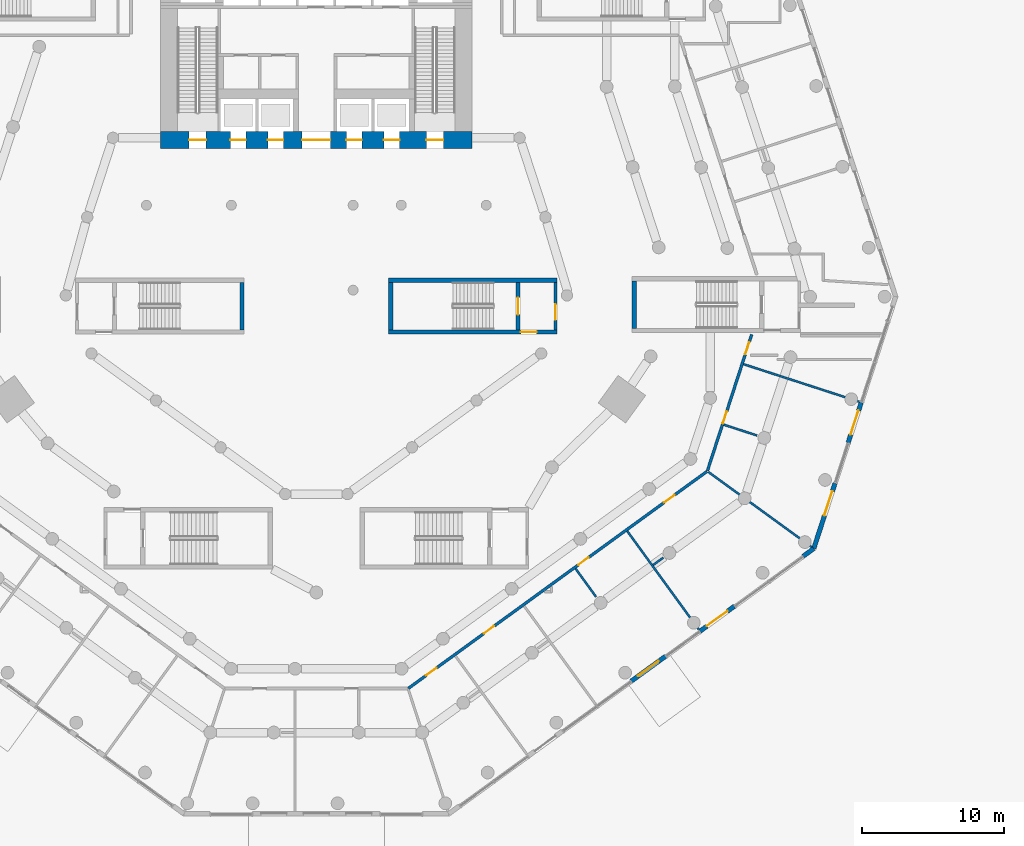
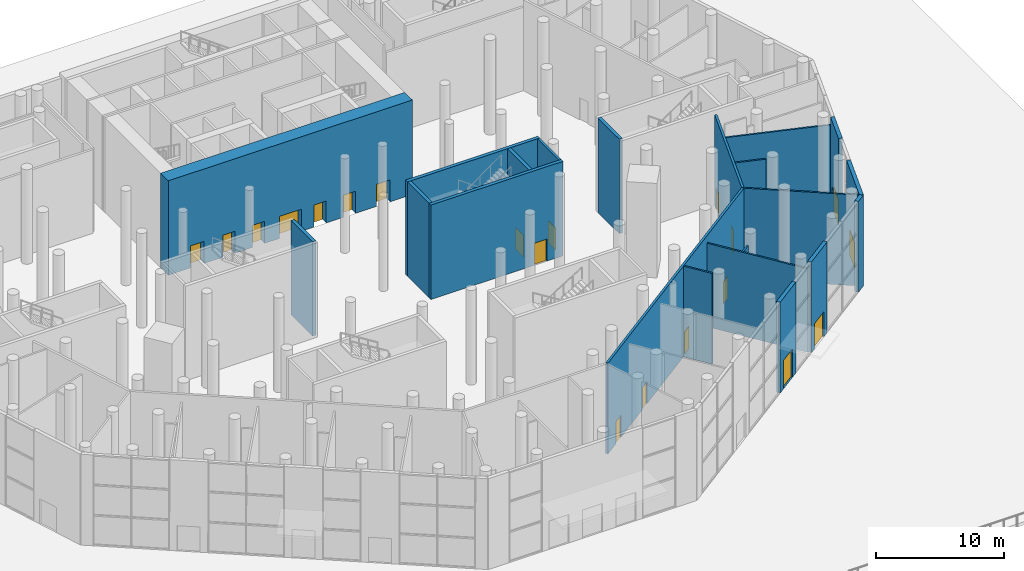
# One storey, part 12 of 25: 21 walls, 20 doors, 20 openings.
"""IFC4 building model written with IfcOpenShell, lengths in metres."""

from ifc_helpers import new_model, si_unit, direction, frame, frame_2d, origin, place, context, subcontext, project, spatial, rectangle, extrude, material, layer, layer_set, type_object, element, fill, save


model = new_model("IFC4")

# Units and contexts
model_context = context("Model", 3, precision=1e-05, world=origin(), true_north=direction((0.0, 1.0)))
body_context = subcontext(model_context, "Body", "Model", "MODEL_VIEW")
ifc_project = project(units=[si_unit("LENGTHUNIT", "METRE"), si_unit("AREAUNIT", "SQUARE_METRE"), si_unit("VOLUMEUNIT", "CUBIC_METRE"), si_unit("PLANEANGLEUNIT", "RADIAN"), si_unit("MASSUNIT", "GRAM", prefix="KILO")], contexts=[model_context])

# Site, building, storey
site_placement = place(None, origin())
site = spatial("IfcSite", under=ifc_project, at=site_placement, CompositionType="ELEMENT")
building_placement = place(site_placement, origin())
building = spatial("IfcBuilding", under=site, at=building_placement, Name="White Candle Pilgrim Tower", CompositionType="ELEMENT")
storey_placement = place(building_placement, origin())
storey = spatial("IfcBuildingStorey", under=building, at=storey_placement, Name="L00", CompositionType="ELEMENT", Elevation=0.0)

# Wall, opening, door
ifc_material_1 = material(Name="Concrete C70/85", Category="concrete")
ifc_layer_1 = layer(ifc_material_1, 0.199951171875)
ifc_layer_set_1 = layer_set([ifc_layer_1], Name="Core wall 200 mm Concrete C70/85")
wall_type_1 = type_object("IfcWallType", Name="Core wall 200 mm Concrete C70/85", PredefinedType="SHEAR", material=ifc_layer_set_1)
wall_1_placement = place(storey_placement, frame((86.89990234375, 58.199951171875, 0.0), z_axis=(0.0, 0.0, 1.0), x_axis=(0.0, 1.0, 0.0)))
wall_1 = element("IfcWall", 1, at=wall_1_placement, inside=storey, type_object=wall_type_1, Name="WL-L00-C24", PredefinedType="SHEAR", context=body_context, shape_type="SweptSolid", body=[
    extrude(rectangle(XDim=3.35009765625, YDim=0.199951171875, at=frame_2d((1.675048828125, 0.0))), origin(), (0.0, 0.0, 1.0), 9.0),
])
opening_1_placement = place(wall_1_placement, frame((0.699951171875, 0.0, 0.0)))
opening_1 = element("IfcOpeningElement", 2, at=opening_1_placement, cuts=wall_1, Name="Opening L00-012", PredefinedType="OPENING", context=body_context, shape_type="SweptSolid", body=[
    extrude(rectangle(XDim=1.10009765625, YDim=2.10009765625, at=frame_2d((0.550048828125, 1.050048828125))), frame((0.0, 0.10986328125, 0.0), z_axis=(0.0, -1.0, 0.0), x_axis=(1.0, 0.0, 0.0)), (0.0, 0.0, 1.0), 0.219970703125),
])
ifc_material_2 = material(Name="Steel door leaf", Category="steel")
door_type_1 = type_object("IfcDoorType", Name="Fire door 1100 x 2100 EI 60", OperationType="NOTDEFINED", PredefinedType="DOOR", material=ifc_material_2)
door_1_placement = place(opening_1_placement, frame((1.10009765625, 0.0, 0.0), z_axis=(0.0, 0.0, 1.0), x_axis=(-1.0, 0.0, 0.0)))
door_1 = element("IfcDoor", 3, at=door_1_placement, inside=storey, type_object=door_type_1, Name="Door L00-012", OperationType="SINGLE_SWING_LEFT", OverallHeight=2.10009765625, OverallWidth=1.10009765625, PredefinedType="DOOR", context=body_context, shape_type="SweptSolid", body=[
    extrude(rectangle(XDim=1.10009765625, YDim=2.10009765625, at=frame_2d((0.550048828125, 1.050048828125))), frame((0.0, 0.02490234375, 0.0), z_axis=(0.0, -1.0, 0.0), x_axis=(1.0, 0.0, 0.0)), (0.0, 0.0, 1.0), 0.050048828125),
])
fill(opening_1, door_1)

# Wall, openings, doors
ifc_material_3 = material(Name="Gypsum board on steel studs", Category="steel")
ifc_layer_2 = layer(ifc_material_3, 0.199951171875)
ifc_layer_set_2 = layer_set([ifc_layer_2], Name="Corridor wall 200 mm EI 45")
wall_type_2 = type_object("IfcWallType", Name="Corridor wall 200 mm EI 45", PredefinedType="PARTITIONING", material=ifc_layer_set_2)
wall_2_placement = place(storey_placement, frame((97.586669921875, 48.19677734375, 0.0), z_axis=(0.0, 0.0, 1.0), x_axis=(-0.809019996445, -0.587781120276, 0.0)))
wall_2 = element("IfcWall", 4, at=wall_2_placement, inside=storey, type_object=wall_type_2, Name="WL-L00-P001", PredefinedType="PARTITIONING", context=body_context, shape_type="SweptSolid", body=[
    extrude(rectangle(XDim=26.058349609375, YDim=0.199951171875, at=frame_2d((13.029296875, 0.0))), origin(), (0.0, 0.0, 1.0), 8.64990234375),
])
opening_2_placement = place(wall_2_placement, frame((23.60986328125, 0.0, 0.0)))
opening_2 = element("IfcOpeningElement", 5, at=opening_2_placement, cuts=wall_2, Name="Opening L00-113", PredefinedType="OPENING", context=body_context, shape_type="SweptSolid", body=[
    extrude(rectangle(XDim=0.89990234375, YDim=2.10009765625, at=frame_2d((0.449951171875, 1.050048828125))), frame((0.0, 0.10986328125, 0.0), z_axis=(0.0, -1.0, 0.0), x_axis=(1.0, 0.0, 0.0)), (0.0, 0.0, 1.0), 0.219970703125),
])
opening_3_placement = place(wall_2_placement, frame((18.5791015625, 0.0, 0.0)))
opening_3 = element("IfcOpeningElement", 6, at=opening_3_placement, cuts=wall_2, Name="Opening L00-114", PredefinedType="OPENING", context=body_context, shape_type="SweptSolid", body=[
    extrude(rectangle(XDim=0.89990234375, YDim=2.10009765625, at=frame_2d((0.449951171875, 1.050048828125))), frame((0.0, 0.10986328125, 0.0), z_axis=(0.0, -1.0, 0.0), x_axis=(1.0, 0.0, 0.0)), (0.0, 0.0, 1.0), 0.219970703125),
])
opening_4_placement = place(wall_2_placement, frame((10.32958984375, 0.0, 0.0)))
opening_4 = element("IfcOpeningElement", 7, at=opening_4_placement, cuts=wall_2, Name="Opening L00-115", PredefinedType="OPENING", context=body_context, shape_type="SweptSolid", body=[
    extrude(rectangle(XDim=0.89990234375, YDim=2.10009765625, at=frame_2d((0.449951171875, 1.050048828125))), frame((0.0, 0.10986328125, 0.0), z_axis=(0.0, -1.0, 0.0), x_axis=(1.0, 0.0, 0.0)), (0.0, 0.0, 1.0), 0.219970703125),
])
opening_5_placement = place(wall_2_placement, frame((2.848388671875, 0.0, 0.0)))
opening_5 = element("IfcOpeningElement", 8, at=opening_5_placement, cuts=wall_2, Name="Opening L00-116", PredefinedType="OPENING", context=body_context, shape_type="SweptSolid", body=[
    extrude(rectangle(XDim=0.89990234375, YDim=2.10009765625, at=frame_2d((0.449951171875, 1.050048828125))), frame((0.0, 0.10986328125, 0.0), z_axis=(0.0, -1.0, 0.0), x_axis=(1.0, 0.0, 0.0)), (0.0, 0.0, 1.0), 0.219970703125),
])
door_type_2 = type_object("IfcDoorType", Name="Fire door 900 x 2100 EI 30", OperationType="NOTDEFINED", PredefinedType="DOOR", material=ifc_material_2)
door_2_placement = place(opening_2_placement, origin())
door_2 = element("IfcDoor", 9, at=door_2_placement, inside=storey, type_object=door_type_2, Name="Door L00-113", OperationType="SINGLE_SWING_LEFT", OverallHeight=2.10009765625, OverallWidth=0.89990234375, PredefinedType="DOOR", context=body_context, shape_type="SweptSolid", body=[
    extrude(rectangle(XDim=0.89990234375, YDim=2.10009765625, at=frame_2d((0.449951171875, 1.050048828125))), frame((0.0, 0.02490234375, 0.0), z_axis=(0.0, -1.0, 0.0), x_axis=(1.0, 0.0, 0.0)), (0.0, 0.0, 1.0), 0.050048828125),
])
fill(opening_2, door_2)
door_3_placement = place(opening_3_placement, origin())
door_3 = element("IfcDoor", 10, at=door_3_placement, inside=storey, type_object=door_type_2, Name="Door L00-114", OperationType="SINGLE_SWING_RIGHT", OverallHeight=2.10009765625, OverallWidth=0.89990234375, PredefinedType="DOOR", context=body_context, shape_type="SweptSolid", body=[
    extrude(rectangle(XDim=0.89990234375, YDim=2.10009765625, at=frame_2d((0.449951171875, 1.050048828125))), frame((0.0, 0.02490234375, 0.0), z_axis=(0.0, -1.0, 0.0), x_axis=(1.0, 0.0, 0.0)), (0.0, 0.0, 1.0), 0.050048828125),
])
fill(opening_3, door_3)
door_4_placement = place(opening_4_placement, origin())
door_4 = element("IfcDoor", 11, at=door_4_placement, inside=storey, type_object=door_type_2, Name="Door L00-115", OperationType="SINGLE_SWING_LEFT", OverallHeight=2.10009765625, OverallWidth=0.89990234375, PredefinedType="DOOR", context=body_context, shape_type="SweptSolid", body=[
    extrude(rectangle(XDim=0.89990234375, YDim=2.10009765625, at=frame_2d((0.449951171875, 1.050048828125))), frame((0.0, 0.02490234375, 0.0), z_axis=(0.0, -1.0, 0.0), x_axis=(1.0, 0.0, 0.0)), (0.0, 0.0, 1.0), 0.050048828125),
])
fill(opening_4, door_4)
door_5_placement = place(opening_5_placement, origin())
door_5 = element("IfcDoor", 12, at=door_5_placement, inside=storey, type_object=door_type_2, Name="Door L00-116", OperationType="SINGLE_SWING_RIGHT", OverallHeight=2.10009765625, OverallWidth=0.89990234375, PredefinedType="DOOR", context=body_context, shape_type="SweptSolid", body=[
    extrude(rectangle(XDim=0.89990234375, YDim=2.10009765625, at=frame_2d((0.449951171875, 1.050048828125))), frame((0.0, 0.02490234375, 0.0), z_axis=(0.0, -1.0, 0.0), x_axis=(1.0, 0.0, 0.0)), (0.0, 0.0, 1.0), 0.050048828125),
])
fill(opening_5, door_5)

wall_3_placement = place(storey_placement, frame((100.749267578125, 57.869140625, 0.0), z_axis=(0.0, 0.0, 1.0), x_axis=(-0.309015685068, -0.951056941714, 0.0)))
wall_3 = element("IfcWall", 13, at=wall_3_placement, inside=storey, type_object=wall_type_2, Name="WL-L00-P011", PredefinedType="PARTITIONING", context=body_context, shape_type="SweptSolid", body=[
    extrude(rectangle(XDim=10.117431640625, YDim=0.199951171875, at=frame_2d((5.05859375, 0.0))), origin(), (0.0, 0.0, 1.0), 8.64990234375),
])
opening_6_placement = place(wall_3_placement, frame((5.710693359375, 0.0, 0.0)))
opening_6 = element("IfcOpeningElement", 14, at=opening_6_placement, cuts=wall_3, Name="Opening L00-117", PredefinedType="OPENING", context=body_context, shape_type="SweptSolid", body=[
    extrude(rectangle(XDim=0.89990234375, YDim=2.10009765625, at=frame_2d((0.449951171875, 1.050048828125))), frame((0.0, 0.10986328125, 0.0), z_axis=(0.0, -1.0, 0.0), x_axis=(1.0, 0.0, 0.0)), (0.0, 0.0, 1.0), 0.219970703125),
])
opening_7_placement = place(wall_3_placement, frame((0.56689453125, 0.0, 0.0)))
opening_7 = element("IfcOpeningElement", 15, at=opening_7_placement, cuts=wall_3, Name="Opening L00-118", PredefinedType="OPENING", context=body_context, shape_type="SweptSolid", body=[
    extrude(rectangle(XDim=0.89990234375, YDim=2.10009765625, at=frame_2d((0.449951171875, 1.050048828125))), frame((0.0, 0.10986328125, 0.0), z_axis=(0.0, -1.0, 0.0), x_axis=(1.0, 0.0, 0.0)), (0.0, 0.0, 1.0), 0.219970703125),
])
door_6_placement = place(opening_6_placement, origin())
door_6 = element("IfcDoor", 16, at=door_6_placement, inside=storey, type_object=door_type_2, Name="Door L00-117", OperationType="SINGLE_SWING_LEFT", OverallHeight=2.10009765625, OverallWidth=0.89990234375, PredefinedType="DOOR", context=body_context, shape_type="SweptSolid", body=[
    extrude(rectangle(XDim=0.89990234375, YDim=2.10009765625, at=frame_2d((0.449951171875, 1.050048828125))), frame((0.0, 0.02490234375, 0.0), z_axis=(0.0, -1.0, 0.0), x_axis=(1.0, 0.0, 0.0)), (0.0, 0.0, 1.0), 0.050048828125),
])
fill(opening_6, door_6)
door_7_placement = place(opening_7_placement, frame((0.89990234375, 0.0, 0.0), z_axis=(0.0, 0.0, 1.0), x_axis=(-1.0, 0.0, 0.0)))
door_7 = element("IfcDoor", 17, at=door_7_placement, inside=storey, type_object=door_type_2, Name="Door L00-118", OperationType="SINGLE_SWING_LEFT", OverallHeight=2.10009765625, OverallWidth=0.89990234375, PredefinedType="DOOR", context=body_context, shape_type="SweptSolid", body=[
    extrude(rectangle(XDim=0.89990234375, YDim=2.10009765625, at=frame_2d((0.449951171875, 1.050048828125))), frame((0.0, 0.02490234375, 0.0), z_axis=(0.0, -1.0, 0.0), x_axis=(1.0, 0.0, 0.0)), (0.0, 0.0, 1.0), 0.050048828125),
])
fill(opening_7, door_7)

# Wall, opening, door
ifc_material_4 = material(Name="Precast concrete C40/50", Category="concrete")
ifc_layer_3 = layer(ifc_material_4, 0.320068359375)
ifc_layer_set_3 = layer_set([ifc_layer_3], Name="Facade wall EW3 precast concrete C40/50 and stone-faced podium wall")
wall_type_3 = type_object("IfcWallType", Name="Facade wall EW3 precast concrete C40/50 and stone-faced podium wall", PredefinedType="SOLIDWALL", material=ifc_layer_set_3)
wall_4_placement = place(storey_placement, frame((92.24169921875, 33.38671875, 0.0), z_axis=(0.0, 0.0, 1.0), x_axis=(0.80902805407, 0.587770029627, 0.0)))
wall_4 = element("IfcWall", 18, at=wall_4_placement, inside=storey, type_object=wall_type_3, Name="Facade wall L00 SE", PredefinedType="SOLIDWALL", context=body_context, shape_type="SweptSolid", body=[
    extrude(rectangle(XDim=3.000244140625, YDim=0.320068359375, at=frame_2d((1.5, 0.0))), origin(), (0.0, 0.0, 1.0), 8.64990234375),
])
opening_8_placement = place(wall_4_placement, frame((0.60009765625, 0.0, 0.0)))
opening_8 = element("IfcOpeningElement", 19, at=opening_8_placement, cuts=wall_4, Name="Opening L00-910", PredefinedType="OPENING", context=body_context, shape_type="SweptSolid", body=[
    extrude(rectangle(XDim=1.800048828125, YDim=2.699951171875, at=frame_2d((0.89990234375, 1.35009765625))), frame((0.0, 0.169921875, 0.0), z_axis=(0.0, -1.0, 0.0), x_axis=(1.0, 0.0, 0.0)), (0.0, 0.0, 1.0), 0.340087890625),
])
ifc_material_5 = material(Name="Timber frame with laminated glazing", Category="wood")
door_type_3 = type_object("IfcDoorType", Name="Entrance door EN1 1800x2700 double leaf glazed", OperationType="DOUBLE_DOOR_DOUBLE_SWING", PredefinedType="DOOR", material=ifc_material_5)
door_8_placement = place(opening_8_placement, origin())
door_8 = element("IfcDoor", 20, at=door_8_placement, inside=storey, type_object=door_type_3, Name="Door L00 SE 6", OperationType="DOUBLE_DOOR_DOUBLE_SWING", OverallHeight=2.699951171875, OverallWidth=1.800048828125, PredefinedType="DOOR", context=body_context, shape_type="SweptSolid", body=[
    extrude(rectangle(XDim=1.800048828125, YDim=2.699951171875, at=frame_2d((0.89990234375, 1.35009765625))), frame((0.0, 0.0400390625, 0.0), z_axis=(0.0, -1.0, 0.0), x_axis=(1.0, 0.0, 0.0)), (0.0, 0.0, 1.0), 0.050048828125),
])
fill(opening_8, door_8)

wall_5_placement = place(storey_placement, frame((97.095947265625, 36.91357421875, 0.0), z_axis=(0.0, 0.0, 1.0), x_axis=(0.809038637837, 0.587755461469, 0.0)))
wall_5 = element("IfcWall", 21, at=wall_5_placement, inside=storey, type_object=wall_type_3, Name="Facade wall L00 SE", PredefinedType="SOLIDWALL", context=body_context, shape_type="SweptSolid", body=[
    extrude(rectangle(XDim=2.999755859375, YDim=0.320068359375, at=frame_2d((1.5, 0.0))), origin(), (0.0, 0.0, 1.0), 8.64990234375),
])
opening_9_placement = place(wall_5_placement, frame((0.60009765625, 0.0, 0.0)))
opening_9 = element("IfcOpeningElement", 22, at=opening_9_placement, cuts=wall_5, Name="Opening L00-911", PredefinedType="OPENING", context=body_context, shape_type="SweptSolid", body=[
    extrude(rectangle(XDim=1.800048828125, YDim=2.39990234375, at=frame_2d((0.89990234375, 1.199951171875))), frame((0.0, 0.169921875, 0.0), z_axis=(0.0, -1.0, 0.0), x_axis=(1.0, 0.0, 0.0)), (0.0, 0.0, 1.0), 0.340087890625),
])
door_type_4 = type_object("IfcDoorType", Name="Exit door EN5 1800x2400 double leaf", OperationType="DOUBLE_DOOR_DOUBLE_SWING", PredefinedType="DOOR", material=ifc_material_5)
door_9_placement = place(opening_9_placement, origin())
door_9 = element("IfcDoor", 23, at=door_9_placement, inside=storey, type_object=door_type_4, Name="Door L00 SE 8", OperationType="DOUBLE_DOOR_DOUBLE_SWING", OverallHeight=2.39990234375, OverallWidth=1.800048828125, PredefinedType="DOOR", context=body_context, shape_type="SweptSolid", body=[
    extrude(rectangle(XDim=1.800048828125, YDim=2.39990234375, at=frame_2d((0.89990234375, 1.199951171875))), frame((0.0, 0.0400390625, 0.0), z_axis=(0.0, -1.0, 0.0), x_axis=(1.0, 0.0, 0.0)), (0.0, 0.0, 1.0), 0.050048828125),
])
fill(opening_9, door_9)

# Wall
wall_6_placement = place(storey_placement, frame((104.376953125, 42.20361328125, 0.0), z_axis=(0.0, 0.0, 1.0), x_axis=(0.809097681341, 0.587674180179, 0.0)))
element("IfcWall", 24, at=wall_6_placement, inside=storey, type_object=wall_type_3, Name="Facade wall L00 SE", PredefinedType="SOLIDWALL", context=body_context, shape_type="SweptSolid", body=[
    extrude(rectangle(XDim=0.933837890625, YDim=0.320068359375, at=frame_2d((0.466796875, 0.0))), origin(), (0.0, 0.0, 1.0), 8.64990234375),
])

# Wall, opening, door
wall_7_placement = place(storey_placement, frame((105.132568359375, 42.75244140625, 0.0), z_axis=(0.0, 0.0, 1.0), x_axis=(0.309016652969, 0.951056627225, 0.0)))
wall_7 = element("IfcWall", 25, at=wall_7_placement, inside=storey, type_object=wall_type_3, Name="Facade wall L00 E chamfer", PredefinedType="SOLIDWALL", context=body_context, shape_type="SweptSolid", body=[
    extrude(rectangle(XDim=4.850830078125, YDim=0.320068359375, at=frame_2d((2.42529296875, 0.0))), origin(), (0.0, 0.0, 1.0), 8.64990234375),
])
opening_10_placement = place(wall_7_placement, frame((2.450927734375, 0.0, 0.0)))
opening_10 = element("IfcOpeningElement", 26, at=opening_10_placement, cuts=wall_7, Name="Opening L00-912", PredefinedType="OPENING", context=body_context, shape_type="SweptSolid", body=[
    extrude(rectangle(XDim=1.800048828125, YDim=2.39990234375, at=frame_2d((0.89990234375, 1.199951171875))), frame((0.0, 0.169921875, 0.0), z_axis=(0.0, -1.0, 0.0), x_axis=(1.0, 0.0, 0.0)), (0.0, 0.0, 1.0), 0.340087890625),
])
door_10_placement = place(opening_10_placement, origin())
door_10 = element("IfcDoor", 27, at=door_10_placement, inside=storey, type_object=door_type_4, Name="Door L00 E chamfer 1", OperationType="DOUBLE_DOOR_DOUBLE_SWING", OverallHeight=2.39990234375, OverallWidth=1.800048828125, PredefinedType="DOOR", context=body_context, shape_type="SweptSolid", body=[
    extrude(rectangle(XDim=1.800048828125, YDim=2.39990234375, at=frame_2d((0.89990234375, 1.199951171875))), frame((0.0, 0.0400390625, 0.0), z_axis=(0.0, -1.0, 0.0), x_axis=(1.0, 0.0, 0.0)), (0.0, 0.0, 1.0), 0.050048828125),
])
fill(opening_10, door_10)

wall_8_placement = place(storey_placement, frame((107.55859375, 50.21923828125, 0.0), z_axis=(0.0, 0.0, 1.0), x_axis=(0.309065831784, 0.951040646673, 0.0)))
wall_8 = element("IfcWall", 28, at=wall_8_placement, inside=storey, type_object=wall_type_3, Name="Facade wall L00 E chamfer", PredefinedType="SOLIDWALL", context=body_context, shape_type="SweptSolid", body=[
    extrude(rectangle(XDim=3.000244140625, YDim=0.320068359375, at=frame_2d((1.5, 0.0))), origin(), (0.0, 0.0, 1.0), 8.64990234375),
])
opening_11_placement = place(wall_8_placement, frame((0.60009765625, 0.0, 0.0)))
opening_11 = element("IfcOpeningElement", 29, at=opening_11_placement, cuts=wall_8, Name="Opening L00-913", PredefinedType="OPENING", context=body_context, shape_type="SweptSolid", body=[
    extrude(rectangle(XDim=1.800048828125, YDim=2.39990234375, at=frame_2d((0.89990234375, 1.199951171875))), frame((0.0, 0.169921875, 0.0), z_axis=(0.0, -1.0, 0.0), x_axis=(1.0, 0.0, 0.0)), (0.0, 0.0, 1.0), 0.340087890625),
])
door_11_placement = place(opening_11_placement, origin())
door_11 = element("IfcDoor", 30, at=door_11_placement, inside=storey, type_object=door_type_4, Name="Door L00 E chamfer 3", OperationType="DOUBLE_DOOR_DOUBLE_SWING", OverallHeight=2.39990234375, OverallWidth=1.800048828125, PredefinedType="DOOR", context=body_context, shape_type="SweptSolid", body=[
    extrude(rectangle(XDim=1.800048828125, YDim=2.39990234375, at=frame_2d((0.89990234375, 1.199951171875))), frame((0.0, 0.0400390625, 0.0), z_axis=(0.0, -1.0, 0.0), x_axis=(1.0, 0.0, 0.0)), (0.0, 0.0, 1.0), 0.050048828125),
])
fill(opening_11, door_11)

# Walls
ifc_layer_4 = layer(ifc_material_3, 0.14990234375)
ifc_layer_set_4 = layer_set([ifc_layer_4], Name="Partition 150 mm EI 60")
wall_type_4 = type_object("IfcWallType", Name="Partition 150 mm EI 60", PredefinedType="PARTITIONING", material=ifc_layer_set_4)
wall_9_placement = place(storey_placement, frame((104.99658203125, 42.851318359375, 0.0), z_axis=(0.0, 0.0, 1.0), x_axis=(-0.809012721552, 0.587791133284, 0.0)))
element("IfcWall", 31, at=wall_9_placement, inside=storey, type_object=wall_type_4, Name="WL-L00-P015", PredefinedType="PARTITIONING", context=body_context, shape_type="SweptSolid", body=[
    extrude(rectangle(XDim=9.041748046875, YDim=0.14990234375, at=frame_2d((4.52099609375, 0.0))), origin(), (0.0, 0.0, 1.0), 8.64990234375),
])
wall_10_placement = place(storey_placement, frame((97.001953125, 37.04296875, 0.0), z_axis=(0.0, 0.0, 1.0), x_axis=(-0.587784187831, 0.80901776775, 0.0)))
element("IfcWall", 32, at=wall_10_placement, inside=storey, type_object=wall_type_4, Name="WL-L00-P027", PredefinedType="PARTITIONING", context=body_context, shape_type="SweptSolid", body=[
    extrude(rectangle(XDim=8.580078125, YDim=0.14990234375, at=frame_2d((4.2900390625, 0.0))), origin(), (0.0, 0.0, 1.0), 7.949951171875),
])
wall_11_placement = place(storey_placement, frame((108.33349609375, 53.121826171875, 0.0), z_axis=(0.0, 0.0, 1.0), x_axis=(-0.951054768527, 0.309022373402, 0.0)))
element("IfcWall", 33, at=wall_11_placement, inside=storey, type_object=wall_type_4, Name="WL-L00-P028", PredefinedType="PARTITIONING", context=body_context, shape_type="SweptSolid", body=[
    extrude(rectangle(XDim=8.579833984375, YDim=0.14990234375, at=frame_2d((4.2900390625, 0.0))), origin(), (0.0, 0.0, 1.0), 7.949951171875),
])
wall_12_placement = place(storey_placement, frame((89.75439453125, 39.342041015625, 0.0), z_axis=(0.0, 0.0, 1.0), x_axis=(-0.587734929446, 0.809053553672, 0.0)))
element("IfcWall", 34, at=wall_12_placement, inside=storey, type_object=wall_type_4, Name="WL-L00-P041", PredefinedType="PARTITIONING", context=body_context, shape_type="SweptSolid", body=[
    extrude(rectangle(XDim=2.4599609375, YDim=0.14990234375, at=frame_2d((1.22998046875, 0.0))), origin(), (0.0, 0.0, 1.0), 8.64990234375),
])
wall_13_placement = place(storey_placement, frame((94.505859375, 42.112548828125, 0.0), z_axis=(0.0, 0.0, 1.0), x_axis=(-0.808974481913, -0.587843761227, 0.0)))
element("IfcWall", 35, at=wall_13_placement, inside=storey, type_object=wall_type_4, Name="WL-L00-P042", PredefinedType="PARTITIONING", context=body_context, shape_type="SweptSolid", body=[
    extrude(rectangle(XDim=0.885498046875, YDim=0.14990234375, at=frame_2d((0.44287109375, 0.0))), origin(), (0.0, 0.0, 1.0), 7.949951171875),
])
wall_14_placement = place(storey_placement, frame((101.123779296875, 50.737060546875, 0.0), z_axis=(0.0, 0.0, 1.0), x_axis=(-0.951047924801, 0.309043435024, 0.0)))
element("IfcWall", 36, at=wall_14_placement, inside=storey, type_object=wall_type_4, Name="WL-L00-P043", PredefinedType="PARTITIONING", context=body_context, shape_type="SweptSolid", body=[
    extrude(rectangle(XDim=2.4599609375, YDim=0.14990234375, at=frame_2d((1.22998046875, 0.0))), origin(), (0.0, 0.0, 1.0), 8.64990234375),
])

# Wall, openings, doors
ifc_layer_5 = layer(ifc_material_1, 1.199951171875)
ifc_layer_set_5 = layer_set([ifc_layer_5], Name="Stair shaft wall 1200 mm Concrete C70/85")
wall_type_5 = type_object("IfcWallType", Name="Stair shaft wall 1200 mm Concrete C70/85", PredefinedType="SHEAR", material=ifc_layer_set_5)
wall_15_placement = place(storey_placement, frame((59.0, 71.60009765625, 0.0), z_axis=(0.0, 0.0, 1.0), x_axis=(1.0, 0.0, 0.0)))
wall_15 = element("IfcWall", 37, at=wall_15_placement, inside=storey, type_object=wall_type_5, Name="WL-L00-C39", PredefinedType="SHEAR", context=body_context, shape_type="SweptSolid", body=[
    extrude(rectangle(XDim=22.0, YDim=1.199951171875, at=frame_2d((11.0, 0.0))), origin(), (0.0, 0.0, 1.0), 9.0),
])
opening_12_placement = place(wall_15_placement, frame((2.02490234375, 0.0, 0.0)))
opening_12 = element("IfcOpeningElement", 38, at=opening_12_placement, cuts=wall_15, Name="Opening L00-001", PredefinedType="OPENING", context=body_context, shape_type="SweptSolid", body=[
    extrude(rectangle(XDim=1.199951171875, YDim=2.10009765625, at=frame_2d((0.60009765625, 1.050048828125))), frame((0.0, 0.60986328125, 0.0), z_axis=(0.0, -1.0, 0.0), x_axis=(1.0, 0.0, 0.0)), (0.0, 0.0, 1.0), 1.219970703125),
])
opening_13_placement = place(wall_15_placement, frame((18.77490234375, 0.0, 0.0)))
opening_13 = element("IfcOpeningElement", 39, at=opening_13_placement, cuts=wall_15, Name="Opening L00-002", PredefinedType="OPENING", context=body_context, shape_type="SweptSolid", body=[
    extrude(rectangle(XDim=1.199951171875, YDim=2.10009765625, at=frame_2d((0.60009765625, 1.050048828125))), frame((0.0, 0.60986328125, 0.0), z_axis=(0.0, -1.0, 0.0), x_axis=(1.0, 0.0, 0.0)), (0.0, 0.0, 1.0), 1.219970703125),
])
opening_14_placement = place(wall_15_placement, frame((10.0, 0.0, 0.0)))
opening_14 = element("IfcOpeningElement", 40, at=opening_14_placement, cuts=wall_15, Name="Opening L00-004", PredefinedType="OPENING", context=body_context, shape_type="SweptSolid", body=[
    extrude(rectangle(XDim=2.0, YDim=2.10009765625, at=frame_2d((1.0, 1.050048828125))), frame((0.0, 0.60986328125, 0.0), z_axis=(0.0, -1.0, 0.0), x_axis=(1.0, 0.0, 0.0)), (0.0, 0.0, 1.0), 1.219970703125),
])
opening_15_placement = place(wall_15_placement, frame((4.925048828125, 0.0, 0.0)))
opening_15 = element("IfcOpeningElement", 41, at=opening_15_placement, cuts=wall_15, Name="Opening L00-036", PredefinedType="OPENING", context=body_context, shape_type="SweptSolid", body=[
    extrude(rectangle(XDim=1.10009765625, YDim=2.10009765625, at=frame_2d((0.550048828125, 1.050048828125))), frame((0.0, 0.60986328125, 0.0), z_axis=(0.0, -1.0, 0.0), x_axis=(1.0, 0.0, 0.0)), (0.0, 0.0, 1.0), 1.219970703125),
])
opening_16_placement = place(wall_15_placement, frame((7.574951171875, 0.0, 0.0)))
opening_16 = element("IfcOpeningElement", 42, at=opening_16_placement, cuts=wall_15, Name="Opening L00-037", PredefinedType="OPENING", context=body_context, shape_type="SweptSolid", body=[
    extrude(rectangle(XDim=1.10009765625, YDim=2.10009765625, at=frame_2d((0.550048828125, 1.050048828125))), frame((0.0, 0.60986328125, 0.0), z_axis=(0.0, -1.0, 0.0), x_axis=(1.0, 0.0, 0.0)), (0.0, 0.0, 1.0), 1.219970703125),
])
opening_17_placement = place(wall_15_placement, frame((13.125, 0.0, 0.0)))
opening_17 = element("IfcOpeningElement", 43, at=opening_17_placement, cuts=wall_15, Name="Opening L00-038", PredefinedType="OPENING", context=body_context, shape_type="SweptSolid", body=[
    extrude(rectangle(XDim=1.10009765625, YDim=2.10009765625, at=frame_2d((0.550048828125, 1.050048828125))), frame((0.0, 0.60986328125, 0.0), z_axis=(0.0, -1.0, 0.0), x_axis=(1.0, 0.0, 0.0)), (0.0, 0.0, 1.0), 1.219970703125),
])
opening_18_placement = place(wall_15_placement, frame((15.77490234375, 0.0, 0.0)))
opening_18 = element("IfcOpeningElement", 44, at=opening_18_placement, cuts=wall_15, Name="Opening L00-039", PredefinedType="OPENING", context=body_context, shape_type="SweptSolid", body=[
    extrude(rectangle(XDim=1.10009765625, YDim=2.10009765625, at=frame_2d((0.550048828125, 1.050048828125))), frame((0.0, 0.60986328125, 0.0), z_axis=(0.0, -1.0, 0.0), x_axis=(1.0, 0.0, 0.0)), (0.0, 0.0, 1.0), 1.219970703125),
])
door_type_5 = type_object("IfcDoorType", Name="Fire door 1200 x 2100 EI 60", OperationType="NOTDEFINED", PredefinedType="DOOR", material=ifc_material_2)
door_12_placement = place(opening_12_placement, frame((1.199951171875, 0.0, 0.0), z_axis=(0.0, 0.0, 1.0), x_axis=(-1.0, 0.0, 0.0)))
door_12 = element("IfcDoor", 45, at=door_12_placement, inside=storey, type_object=door_type_5, Name="Door L00-001", OperationType="SINGLE_SWING_RIGHT", OverallHeight=2.10009765625, OverallWidth=1.199951171875, PredefinedType="DOOR", context=body_context, shape_type="SweptSolid", body=[
    extrude(rectangle(XDim=1.199951171875, YDim=2.10009765625, at=frame_2d((0.60009765625, 1.050048828125))), frame((0.0, 0.02490234375, 0.0), z_axis=(0.0, -1.0, 0.0), x_axis=(1.0, 0.0, 0.0)), (0.0, 0.0, 1.0), 0.050048828125),
])
fill(opening_12, door_12)
door_13_placement = place(opening_13_placement, frame((1.199951171875, 0.0, 0.0), z_axis=(0.0, 0.0, 1.0), x_axis=(-1.0, 0.0, 0.0)))
door_13 = element("IfcDoor", 46, at=door_13_placement, inside=storey, type_object=door_type_5, Name="Door L00-002", OperationType="SINGLE_SWING_LEFT", OverallHeight=2.10009765625, OverallWidth=1.199951171875, PredefinedType="DOOR", context=body_context, shape_type="SweptSolid", body=[
    extrude(rectangle(XDim=1.199951171875, YDim=2.10009765625, at=frame_2d((0.60009765625, 1.050048828125))), frame((0.0, 0.02490234375, 0.0), z_axis=(0.0, -1.0, 0.0), x_axis=(1.0, 0.0, 0.0)), (0.0, 0.0, 1.0), 0.050048828125),
])
fill(opening_13, door_13)
door_type_6 = type_object("IfcDoorType", Name="Fire door 2000 x 2100 EI 60", OperationType="NOTDEFINED", PredefinedType="DOOR", material=ifc_material_2)
door_14_placement = place(opening_14_placement, frame((2.0, 0.0, 0.0), z_axis=(0.0, 0.0, 1.0), x_axis=(-1.0, 0.0, 0.0)))
door_14 = element("IfcDoor", 47, at=door_14_placement, inside=storey, type_object=door_type_6, Name="Door L00-004", OperationType="DOUBLE_DOOR_SINGLE_SWING", OverallHeight=2.10009765625, OverallWidth=2.0, PredefinedType="DOOR", context=body_context, shape_type="SweptSolid", body=[
    extrude(rectangle(XDim=2.0, YDim=2.10009765625, at=frame_2d((1.0, 1.050048828125))), frame((0.0, 0.02490234375, 0.0), z_axis=(0.0, -1.0, 0.0), x_axis=(1.0, 0.0, 0.0)), (0.0, 0.0, 1.0), 0.050048828125),
])
fill(opening_14, door_14)
ifc_material_6 = material(Name="Stainless steel", Category="steel")
door_type_7 = type_object("IfcDoorType", Name="Lift landing door 1100 x 2100 E 60", OperationType="DOUBLE_DOOR_SLIDING", PredefinedType="DOOR", material=ifc_material_6)
door_15_placement = place(opening_15_placement, origin())
door_15 = element("IfcDoor", 48, at=door_15_placement, inside=storey, type_object=door_type_7, Name="Door L00-036", OperationType="DOUBLE_DOOR_SLIDING", OverallHeight=2.10009765625, OverallWidth=1.10009765625, PredefinedType="DOOR", context=body_context, shape_type="SweptSolid", body=[
    extrude(rectangle(XDim=1.10009765625, YDim=2.10009765625, at=frame_2d((0.550048828125, 1.050048828125))), frame((0.0, 0.02490234375, 0.0), z_axis=(0.0, -1.0, 0.0), x_axis=(1.0, 0.0, 0.0)), (0.0, 0.0, 1.0), 0.050048828125),
])
fill(opening_15, door_15)
door_16_placement = place(opening_16_placement, origin())
door_16 = element("IfcDoor", 49, at=door_16_placement, inside=storey, type_object=door_type_7, Name="Door L00-037", OperationType="DOUBLE_DOOR_SLIDING", OverallHeight=2.10009765625, OverallWidth=1.10009765625, PredefinedType="DOOR", context=body_context, shape_type="SweptSolid", body=[
    extrude(rectangle(XDim=1.10009765625, YDim=2.10009765625, at=frame_2d((0.550048828125, 1.050048828125))), frame((0.0, 0.02490234375, 0.0), z_axis=(0.0, -1.0, 0.0), x_axis=(1.0, 0.0, 0.0)), (0.0, 0.0, 1.0), 0.050048828125),
])
fill(opening_16, door_16)
door_17_placement = place(opening_17_placement, origin())
door_17 = element("IfcDoor", 50, at=door_17_placement, inside=storey, type_object=door_type_7, Name="Door L00-038", OperationType="DOUBLE_DOOR_SLIDING", OverallHeight=2.10009765625, OverallWidth=1.10009765625, PredefinedType="DOOR", context=body_context, shape_type="SweptSolid", body=[
    extrude(rectangle(XDim=1.10009765625, YDim=2.10009765625, at=frame_2d((0.550048828125, 1.050048828125))), frame((0.0, 0.02490234375, 0.0), z_axis=(0.0, -1.0, 0.0), x_axis=(1.0, 0.0, 0.0)), (0.0, 0.0, 1.0), 0.050048828125),
])
fill(opening_17, door_17)
door_18_placement = place(opening_18_placement, origin())
door_18 = element("IfcDoor", 51, at=door_18_placement, inside=storey, type_object=door_type_7, Name="Door L00-039", OperationType="DOUBLE_DOOR_SLIDING", OverallHeight=2.10009765625, OverallWidth=1.10009765625, PredefinedType="DOOR", context=body_context, shape_type="SweptSolid", body=[
    extrude(rectangle(XDim=1.10009765625, YDim=2.10009765625, at=frame_2d((0.550048828125, 1.050048828125))), frame((0.0, 0.02490234375, 0.0), z_axis=(0.0, -1.0, 0.0), x_axis=(1.0, 0.0, 0.0)), (0.0, 0.0, 1.0), 0.050048828125),
])
fill(opening_18, door_18)

# Wall, opening, door
ifc_layer_6 = layer(ifc_material_1, 0.300048828125)
ifc_layer_set_6 = layer_set([ifc_layer_6], Name="Stair shaft wall 300 mm Concrete C70/85")
wall_type_6 = type_object("IfcWallType", Name="Stair shaft wall 300 mm Concrete C70/85", PredefinedType="SHEAR", material=ifc_layer_set_6)
wall_16_placement = place(storey_placement, frame((75.10009765625, 58.050048828125, 0.0), z_axis=(0.0, 0.0, 1.0), x_axis=(1.0, 0.0, 0.0)))
wall_16 = element("IfcWall", 52, at=wall_16_placement, inside=storey, type_object=wall_type_6, Name="WL-L00-C15", PredefinedType="SHEAR", context=body_context, shape_type="SweptSolid", body=[
    extrude(rectangle(XDim=11.89990234375, YDim=0.300048828125, at=frame_2d((5.949951171875, 0.0))), origin(), (0.0, 0.0, 1.0), 9.0),
])
opening_19_placement = place(wall_16_placement, frame((9.35009765625, 0.0, 0.0)))
opening_19 = element("IfcOpeningElement", 53, at=opening_19_placement, cuts=wall_16, Name="Opening L00-010", PredefinedType="OPENING", context=body_context, shape_type="SweptSolid", body=[
    extrude(rectangle(XDim=1.10009765625, YDim=2.10009765625, at=frame_2d((0.550048828125, 1.050048828125))), frame((0.0, 0.159912109375, 0.0), z_axis=(0.0, -1.0, 0.0), x_axis=(1.0, 0.0, 0.0)), (0.0, 0.0, 1.0), 0.320068359375),
])
door_19_placement = place(opening_19_placement, origin())
door_19 = element("IfcDoor", 54, at=door_19_placement, inside=storey, type_object=door_type_1, Name="Door L00-010", OperationType="SINGLE_SWING_RIGHT", OverallHeight=2.10009765625, OverallWidth=1.10009765625, PredefinedType="DOOR", context=body_context, shape_type="SweptSolid", body=[
    extrude(rectangle(XDim=1.10009765625, YDim=2.10009765625, at=frame_2d((0.550048828125, 1.050048828125))), frame((0.0, 0.02490234375, 0.0), z_axis=(0.0, -1.0, 0.0), x_axis=(1.0, 0.0, 0.0)), (0.0, 0.0, 1.0), 0.050048828125),
])
fill(opening_19, door_19)

# Walls
for number, where, z_axis, x_axis, name in (
    (55, (64.75, 58.199951171875, 0.0), (0.0, 0.0, 1.0), (0.0, 1.0, 0.0), "WL-L00-C21"),
    (56, (75.25, 58.199951171875, 0.0), (0.0, 0.0, 1.0), (0.0, 1.0, 0.0), "WL-L00-C22"),
):
    element("IfcWall", number, at=place(storey_placement, frame(where, z_axis=z_axis, x_axis=x_axis)), inside=storey, type_object=wall_type_6, Name=name, PredefinedType="SHEAR", context=body_context, shape_type="SweptSolid", body=[
        extrude(rectangle(XDim=3.35009765625, YDim=0.300048828125, at=frame_2d((1.675048828125, 0.0))), origin(), (0.0, 0.0, 1.0), 9.0),
    ])

# Wall, opening, door
wall_17_placement = place(storey_placement, frame((84.25, 58.199951171875, 0.0), z_axis=(0.0, 0.0, 1.0), x_axis=(0.0, 1.0, 0.0)))
wall_17 = element("IfcWall", 57, at=wall_17_placement, inside=storey, type_object=wall_type_6, Name="WL-L00-C23", PredefinedType="SHEAR", context=body_context, shape_type="SweptSolid", body=[
    extrude(rectangle(XDim=3.35009765625, YDim=0.300048828125, at=frame_2d((1.675048828125, 0.0))), origin(), (0.0, 0.0, 1.0), 9.0),
])
opening_20_placement = place(wall_17_placement, frame((1.074951171875, 0.0, 0.0)))
opening_20 = element("IfcOpeningElement", 58, at=opening_20_placement, cuts=wall_17, Name="Opening L00-011", PredefinedType="OPENING", context=body_context, shape_type="SweptSolid", body=[
    extrude(rectangle(XDim=1.199951171875, YDim=2.10009765625, at=frame_2d((0.60009765625, 1.050048828125))), frame((0.0, 0.159912109375, 0.0), z_axis=(0.0, -1.0, 0.0), x_axis=(1.0, 0.0, 0.0)), (0.0, 0.0, 1.0), 0.320068359375),
])
door_20_placement = place(opening_20_placement, origin())
door_20 = element("IfcDoor", 59, at=door_20_placement, inside=storey, type_object=door_type_5, Name="Door L00-011", OperationType="SINGLE_SWING_LEFT", OverallHeight=2.10009765625, OverallWidth=1.199951171875, PredefinedType="DOOR", context=body_context, shape_type="SweptSolid", body=[
    extrude(rectangle(XDim=1.199951171875, YDim=2.10009765625, at=frame_2d((0.60009765625, 1.050048828125))), frame((0.0, 0.02490234375, 0.0), z_axis=(0.0, -1.0, 0.0), x_axis=(1.0, 0.0, 0.0)), (0.0, 0.0, 1.0), 0.050048828125),
])
fill(opening_20, door_20)

# Walls
wall_18_placement = place(storey_placement, frame((92.449951171875, 58.300048828125, 0.0), z_axis=(0.0, 0.0, 1.0), x_axis=(0.0, 1.0, 0.0)))
element("IfcWall", 60, at=wall_18_placement, inside=storey, type_object=wall_type_6, Name="WL-L00-C28", PredefinedType="SHEAR", context=body_context, shape_type="SweptSolid", body=[
    extrude(rectangle(XDim=3.349853515625, YDim=0.300048828125, at=frame_2d((1.6748046875, 0.0))), origin(), (0.0, 0.0, 1.0), 9.0),
])
wall_19_placement = place(storey_placement, frame((75.10009765625, 61.699951171875, 0.0), z_axis=(0.0, 0.0, 1.0), x_axis=(1.0, 0.0, 0.0)))
element("IfcWall", 61, at=wall_19_placement, inside=storey, type_object=wall_type_6, Name="WL-L00-C36", PredefinedType="SHEAR", context=body_context, shape_type="SweptSolid", body=[
    extrude(rectangle(XDim=11.89990234375, YDim=0.300048828125, at=frame_2d((5.949951171875, 0.0))), origin(), (0.0, 0.0, 1.0), 9.0),
])

save(model, "model.ifc")
